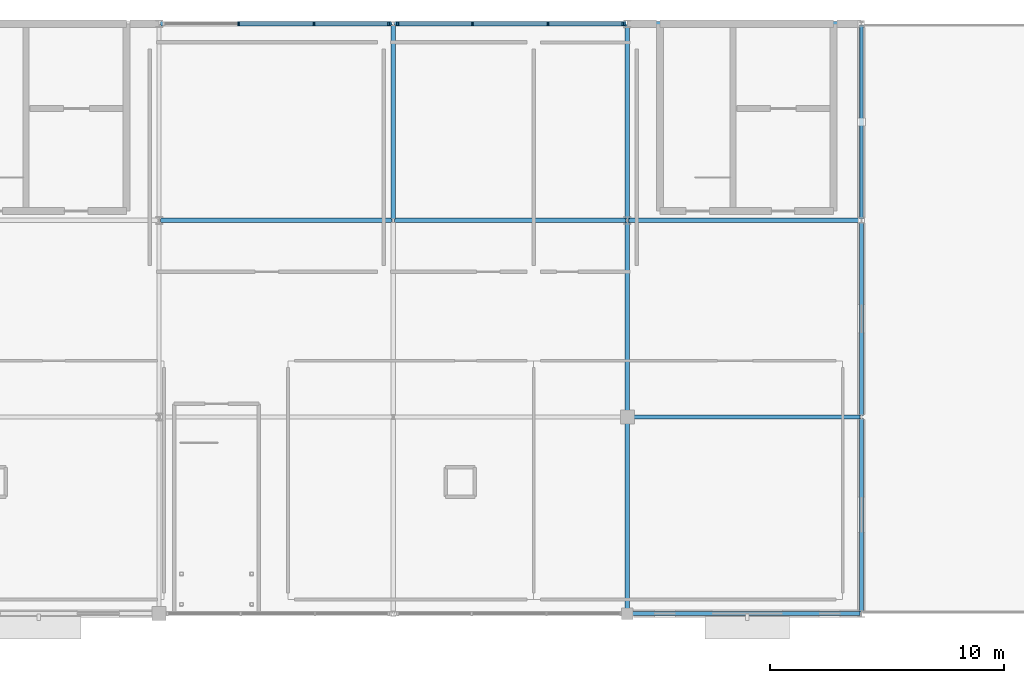
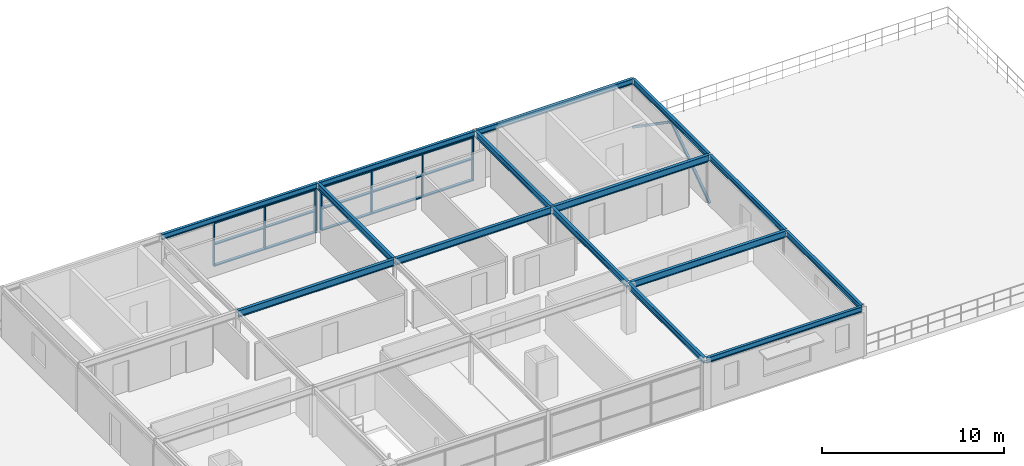
# One storey, part 8 of 12: 24 members, 15 beams, 2 elements without a shape of their own.
"""IFC4 building model written with IfcOpenShell, lengths in metres."""

from ifc_helpers import new_model, si_unit, derived_unit, direction, frame, origin, origin_2d_with_axis, place, context, subcontext, project, spatial, rectangle, hollow_rectangle, i_section, extrude, material, material_profile, profile_set, type_object, element, aggregate, save


model = new_model("IFC4")

# Units and contexts
model_context = context("Model", 3, precision=1e-05, world=origin(), true_north=direction((0.0, 1.0)))
body_context = subcontext(model_context, "Body", "Model", "MODEL_VIEW")
ifc_project = project(units=[si_unit("LENGTHUNIT", "METRE"), si_unit("AREAUNIT", "SQUARE_METRE"), si_unit("VOLUMEUNIT", "CUBIC_METRE"), si_unit("PLANEANGLEUNIT", "RADIAN"), si_unit("MASSUNIT", "GRAM", prefix="KILO"), derived_unit("THERMALTRANSMITTANCEUNIT", [(si_unit("POWERUNIT", "WATT"), 1), (si_unit("LENGTHUNIT", "METRE"), -2), (si_unit("THERMODYNAMICTEMPERATUREUNIT", "KELVIN"), -1)])], contexts=[model_context])

# Site, building, storey
site_placement = place(None, origin())
site = spatial("IfcSite", under=ifc_project, at=site_placement, CompositionType="ELEMENT")
building_placement = place(site_placement, origin())
building = spatial("IfcBuilding", under=site, at=building_placement, Name="Cinnabar Yard Market Hall", CompositionType="ELEMENT")
storey_placement = place(building_placement, frame((0.0, 0.0, 15.300048828125)))
storey = spatial("IfcBuildingStorey", under=building, at=storey_placement, Name="L04", CompositionType="ELEMENT", Elevation=15.300048828125)

# Beams
ifc_material_1 = material(Name="Steel Grade 300 (300 MPa)", Category="steel")
ifc_material_profile_1 = material_profile(ifc_material_1, i_section(OverallWidth=0.18994140625, OverallDepth=0.453857421875, WebThickness=0.008544921875, FlangeThickness=0.0126953125, FilletRadius=0.011474609375, at=origin_2d_with_axis()), Name="460UB67.1")
ifc_profile_set_1 = profile_set([ifc_material_profile_1], Name="Steel Grade 300 (300 MPa)")
beam_type_1 = type_object("IfcBeamType", Name="BM-B05", PredefinedType="BEAM", material=ifc_profile_set_1)
for number, where, z_axis, x_axis, name in (
    (1, (106.06005859375, 129.60009765625, 3.072998046875), (1.0, 0.0, 0.0), (0.0, 1.0, 0.0), "V3 L04 Girder X 01458"),
    (2, (116.06005859375, 129.60009765625, 3.072998046875), (1.0, 0.0, 0.0), (0.0, 1.0, 0.0), "V3 L04 Girder X 01462"),
    (3, (126.06005859375, 121.199951171875, 3.072998046875), (1.0, 0.0, 0.0), (0.0, 1.0, 0.0), "V3 L04 Girder X 01465"),
    (4, (126.06005859375, 129.60009765625, 3.072998046875), (1.0, 0.0, 0.0), (0.0, 1.0, 0.0), "V3 L04 Girder X 01466"),
):
    element("IfcBeam", number, at=place(storey_placement, frame(where, z_axis=z_axis, x_axis=x_axis)), inside=storey, type_object=beam_type_1, Name=name, PredefinedType="BEAM", context=body_context, shape_type="SweptSolid", body=[
        extrude(i_section(OverallWidth=0.18994140625, OverallDepth=0.453857421875, WebThickness=0.008544921875, FlangeThickness=0.0126953125, FilletRadius=0.011474609375, at=origin_2d_with_axis()), origin(), (0.0, 0.0, 1.0), 9.8798828125),
    ])
ifc_material_profile_2 = material_profile(ifc_material_1, i_section(OverallWidth=0.177978515625, OverallDepth=0.406494140625, WebThickness=0.0078125, FlangeThickness=0.0126953125, FilletRadius=0.011474609375, at=origin_2d_with_axis()), Name="410UB59.7")
ifc_profile_set_2 = profile_set([ifc_material_profile_2], Name="Steel Grade 300 (300 MPa)")
beam_type_2 = type_object("IfcBeamType", Name="BM-B06", PredefinedType="BEAM", material=ifc_profile_set_2)
beam_1_placement = place(storey_placement, frame((116.0, 129.659912109375, 3.0966796875), z_axis=(0.0, 1.0, 0.0), x_axis=(-1.0, 0.0, 0.0)))
element("IfcBeam", 5, at=beam_1_placement, inside=storey, type_object=beam_type_2, Name="V3 L04 Girder Y 01476", PredefinedType="BEAM", context=body_context, shape_type="SweptSolid", body=[
    extrude(i_section(OverallWidth=0.177978515625, OverallDepth=0.406494140625, WebThickness=0.0078125, FlangeThickness=0.0126953125, FilletRadius=0.011474609375, at=origin_2d_with_axis()), origin(), (0.0, 0.0, 1.0), 8.280029296875),
])
beam_2_placement = place(storey_placement, frame((126.0, 112.860107421875, 3.0966796875), z_axis=(0.0, 1.0, 0.0), x_axis=(-1.0, 0.0, 0.0)))
element("IfcBeam", 6, at=beam_2_placement, inside=storey, type_object=beam_type_2, Name="V3 L04 Girder Y 01477", PredefinedType="BEAM", context=body_context, shape_type="SweptSolid", body=[
    extrude(i_section(OverallWidth=0.177978515625, OverallDepth=0.406494140625, WebThickness=0.0078125, FlangeThickness=0.0126953125, FilletRadius=0.011474609375, at=origin_2d_with_axis()), origin(), (0.0, 0.0, 1.0), 8.27978515625),
])
for number, where, z_axis, x_axis, name in (
    (7, (126.0, 121.260009765625, 3.0966796875), (0.0, 1.0, 0.0), (-1.0, 0.0, 0.0), "V3 L04 Girder Y 01478"),
    (8, (126.0, 129.659912109375, 3.0966796875), (0.0, 1.0, 0.0), (-1.0, 0.0, 0.0), "V3 L04 Girder Y 01479"),
):
    element("IfcBeam", number, at=place(storey_placement, frame(where, z_axis=z_axis, x_axis=x_axis)), inside=storey, type_object=beam_type_2, Name=name, PredefinedType="BEAM", context=body_context, shape_type="SweptSolid", body=[
        extrude(i_section(OverallWidth=0.177978515625, OverallDepth=0.406494140625, WebThickness=0.0078125, FlangeThickness=0.0126953125, FilletRadius=0.011474609375, at=origin_2d_with_axis()), origin(), (0.0, 0.0, 1.0), 8.280029296875),
    ])
ifc_material_profile_3 = material_profile(ifc_material_1, i_section(OverallWidth=0.172119140625, OverallDepth=0.358642578125, WebThickness=0.008056640625, FlangeThickness=0.012939453125, FilletRadius=0.011474609375, at=origin_2d_with_axis()), Name="360UB56.7")
ifc_profile_set_3 = profile_set([ifc_material_profile_3], Name="Steel Grade 300 (300 MPa)")
beam_type_3 = type_object("IfcBeamType", Name="BM-SP02E", PredefinedType="SPANDREL", material=ifc_profile_set_3)
for number, where, z_axis, x_axis, name in (
    (9, (106.06005859375, 138.0, 3.12060546875), (1.0, 0.0, 0.0), (0.0, 1.0, 0.0), "V3 L04 Girder X 01459"),
    (10, (116.06005859375, 138.0, 3.12060546875), (1.0, 0.0, 0.0), (0.0, 1.0, 0.0), "V3 L04 Girder X 01463"),
    (11, (126.06005859375, 112.800048828125, 3.12060546875), (1.0, 0.0, 0.0), (0.0, 1.0, 0.0), "V3 L04 Girder X 01464"),
    (12, (126.06005859375, 138.0, 3.12060546875), (1.0, 0.0, 0.0), (0.0, 1.0, 0.0), "V3 L04 Girder X 01467"),
):
    element("IfcBeam", number, at=place(storey_placement, frame(where, z_axis=z_axis, x_axis=x_axis)), inside=storey, type_object=beam_type_3, Name=name, PredefinedType="SPANDREL", context=body_context, shape_type="SweptSolid", body=[
        extrude(i_section(OverallWidth=0.172119140625, OverallDepth=0.358642578125, WebThickness=0.008056640625, FlangeThickness=0.012939453125, FilletRadius=0.011474609375, at=origin_2d_with_axis()), origin(), (0.0, 0.0, 1.0), 9.8798828125),
    ])
beam_3_placement = place(storey_placement, frame((136.0, 112.860107421875, 3.12060546875), z_axis=(0.0, 1.0, 0.0), x_axis=(-1.0, 0.0, 0.0)))
element("IfcBeam", 13, at=beam_3_placement, inside=storey, type_object=beam_type_3, Name="V3 L04 Girder Y 01480", PredefinedType="SPANDREL", context=body_context, shape_type="SweptSolid", body=[
    extrude(i_section(OverallWidth=0.172119140625, OverallDepth=0.358642578125, WebThickness=0.008056640625, FlangeThickness=0.012939453125, FilletRadius=0.011474609375, at=origin_2d_with_axis()), origin(), (0.0, 0.0, 1.0), 8.27978515625),
])
for number, where, z_axis, x_axis, name in (
    (14, (136.0, 121.260009765625, 3.12060546875), (0.0, 1.0, 0.0), (-1.0, 0.0, 0.0), "V3 L04 Girder Y 01481"),
    (15, (136.0, 129.659912109375, 3.12060546875), (0.0, 1.0, 0.0), (-1.0, 0.0, 0.0), "V3 L04 Girder Y 01482"),
):
    element("IfcBeam", number, at=place(storey_placement, frame(where, z_axis=z_axis, x_axis=x_axis)), inside=storey, type_object=beam_type_3, Name=name, PredefinedType="SPANDREL", context=body_context, shape_type="SweptSolid", body=[
        extrude(i_section(OverallWidth=0.172119140625, OverallDepth=0.358642578125, WebThickness=0.008056640625, FlangeThickness=0.012939453125, FilletRadius=0.011474609375, at=origin_2d_with_axis()), origin(), (0.0, 0.0, 1.0), 8.280029296875),
    ])

# Curtain wall, members
ifc_material_2 = material(Name="Anodised bronze aluminium courtyard facade", Category="aluminium")
curtain_wall_type = type_object("IfcCurtainWallType", Name="CW-CWF097x29", PredefinedType="NOTDEFINED", material=ifc_material_2)
curtain_wall_1_placement = place(storey_placement, origin())
curtain_wall_1 = element("IfcCurtainWall", 16, at=curtain_wall_1_placement, inside=storey, type_object=curtain_wall_type, Name="Wing North Pishtaq Glazing L04 Bay 2", PredefinedType="NOTDEFINED")
ifc_material_3 = material(Name="Anodised bronze aluminium", Category="aluminium")
ifc_material_profile_4 = material_profile(ifc_material_3, rectangle(XDim=0.179931640625, YDim=0.074951171875, at=origin_2d_with_axis()), Name="MUL-CWF")
ifc_profile_set_4 = profile_set([ifc_material_profile_4], Name="Anodised bronze aluminium")
member_type_1 = type_object("IfcMemberType", Name="CWM-CWF", PredefinedType="MULLION", material=ifc_profile_set_4)
member_1_placement = place(storey_placement, frame((115.802490234375, 138.0, 0.0), z_axis=(0.0, 0.0, 1.0), x_axis=(0.0, -1.0, 0.0)))
member_1 = element("IfcMember", 17, at=member_1_placement, type_object=member_type_1, Name="CWF097x29 mullion 1", PredefinedType="MULLION", context=body_context, shape_type="SweptSolid", body=[
    extrude(rectangle(XDim=0.179931640625, YDim=0.074951171875, at=origin_2d_with_axis()), origin(), (0.0, 0.0, 1.0), 2.93994140625),
])
member_2_placement = place(storey_placement, frame((112.61328125, 138.0, 0.0), z_axis=(0.0, 0.0, 1.0), x_axis=(0.0, -1.0, 0.0)))
member_2 = element("IfcMember", 18, at=member_2_placement, type_object=member_type_1, Name="CWF097x29 mullion 2", PredefinedType="MULLION", context=body_context, shape_type="SweptSolid", body=[
    extrude(rectangle(XDim=0.179931640625, YDim=0.074951171875, at=origin_2d_with_axis()), origin(), (0.0, 0.0, 1.0), 2.93994140625),
])
member_3_placement = place(storey_placement, frame((109.38671875, 138.0, 0.0), z_axis=(0.0, 0.0, 1.0), x_axis=(0.0, -1.0, 0.0)))
member_3 = element("IfcMember", 19, at=member_3_placement, type_object=member_type_1, Name="CWF097x29 mullion 3", PredefinedType="MULLION", context=body_context, shape_type="SweptSolid", body=[
    extrude(rectangle(XDim=0.179931640625, YDim=0.074951171875, at=origin_2d_with_axis()), origin(), (0.0, 0.0, 1.0), 2.93994140625),
])

curtain_wall_2_placement = place(storey_placement, origin())
curtain_wall_2 = element("IfcCurtainWall", 20, at=curtain_wall_2_placement, inside=storey, type_object=curtain_wall_type, Name="Wing North Pishtaq Glazing L04 Bay 3", PredefinedType="NOTDEFINED")
member_4_placement = place(storey_placement, frame((125.802490234375, 138.0, 0.0), z_axis=(0.0, 0.0, 1.0), x_axis=(0.0, -1.0, 0.0)))
member_4 = element("IfcMember", 21, at=member_4_placement, type_object=member_type_1, Name="CWF097x29 mullion 1", PredefinedType="MULLION", context=body_context, shape_type="SweptSolid", body=[
    extrude(rectangle(XDim=0.179931640625, YDim=0.074951171875, at=origin_2d_with_axis()), origin(), (0.0, 0.0, 1.0), 2.93994140625),
])
member_5_placement = place(storey_placement, frame((122.61328125, 138.0, 0.0), z_axis=(0.0, 0.0, 1.0), x_axis=(0.0, -1.0, 0.0)))
member_5 = element("IfcMember", 22, at=member_5_placement, type_object=member_type_1, Name="CWF097x29 mullion 2", PredefinedType="MULLION", context=body_context, shape_type="SweptSolid", body=[
    extrude(rectangle(XDim=0.179931640625, YDim=0.074951171875, at=origin_2d_with_axis()), origin(), (0.0, 0.0, 1.0), 2.93994140625),
])
member_6_placement = place(storey_placement, frame((119.38671875, 138.0, 0.0), z_axis=(0.0, 0.0, 1.0), x_axis=(0.0, -1.0, 0.0)))
member_6 = element("IfcMember", 23, at=member_6_placement, type_object=member_type_1, Name="CWF097x29 mullion 3", PredefinedType="MULLION", context=body_context, shape_type="SweptSolid", body=[
    extrude(rectangle(XDim=0.179931640625, YDim=0.074951171875, at=origin_2d_with_axis()), origin(), (0.0, 0.0, 1.0), 2.93994140625),
])
member_7_placement = place(storey_placement, frame((116.197509765625, 138.0, 0.0), z_axis=(0.0, 0.0, 1.0), x_axis=(0.0, -1.0, 0.0)))
member_7 = element("IfcMember", 24, at=member_7_placement, type_object=member_type_1, Name="CWF097x29 mullion 4", PredefinedType="MULLION", context=body_context, shape_type="SweptSolid", body=[
    extrude(rectangle(XDim=0.179931640625, YDim=0.074951171875, at=origin_2d_with_axis()), origin(), (0.0, 0.0, 1.0), 2.93994140625),
])

# Member
ifc_material_profile_5 = material_profile(ifc_material_3, rectangle(XDim=0.179931640625, YDim=0.074951171875, at=origin_2d_with_axis()), Name="TRN-CWF")
ifc_profile_set_5 = profile_set([ifc_material_profile_5], Name="Anodised bronze aluminium")
member_type_2 = type_object("IfcMemberType", Name="CWT-CWF", PredefinedType="USERDEFINED", material=ifc_profile_set_5)
member_8_placement = place(storey_placement, frame((115.764892578125, 138.0, 0.037353515625), z_axis=(-1.0, 0.0, 0.0), x_axis=(0.0, -1.0, 0.0)))
member_8 = element("IfcMember", 25, at=member_8_placement, type_object=member_type_2, Name="CWF097x29 transom 1.1", ObjectType="TRANSOM", PredefinedType="USERDEFINED", context=body_context, shape_type="SweptSolid", body=[
    extrude(rectangle(XDim=0.179931640625, YDim=0.074951171875, at=origin_2d_with_axis()), origin(), (0.0, 0.0, 1.0), 3.114013671875),
])

member_9_placement = place(storey_placement, frame((115.764892578125, 138.0, 1.469970703125), z_axis=(-1.0, 0.0, 0.0), x_axis=(0.0, -1.0, 0.0)))
member_9 = element("IfcMember", 26, at=member_9_placement, type_object=member_type_2, Name="CWF097x29 transom 1.2", ObjectType="TRANSOM", PredefinedType="USERDEFINED", context=body_context, shape_type="SweptSolid", body=[
    extrude(rectangle(XDim=0.179931640625, YDim=0.074951171875, at=origin_2d_with_axis()), origin(), (0.0, 0.0, 1.0), 3.114013671875),
])

member_10_placement = place(storey_placement, frame((115.764892578125, 138.0, 2.90234375), z_axis=(-1.0, 0.0, 0.0), x_axis=(0.0, -1.0, 0.0)))
member_10 = element("IfcMember", 27, at=member_10_placement, type_object=member_type_2, Name="CWF097x29 transom 1.3", ObjectType="TRANSOM", PredefinedType="USERDEFINED", context=body_context, shape_type="SweptSolid", body=[
    extrude(rectangle(XDim=0.179931640625, YDim=0.074951171875, at=origin_2d_with_axis()), origin(), (0.0, 0.0, 1.0), 3.114013671875),
])

member_11_placement = place(storey_placement, frame((112.575927734375, 138.0, 0.037353515625), z_axis=(-1.0, 0.0, 0.0), x_axis=(0.0, -1.0, 0.0)))
member_11 = element("IfcMember", 28, at=member_11_placement, type_object=member_type_2, Name="CWF097x29 transom 2.1", ObjectType="TRANSOM", PredefinedType="USERDEFINED", context=body_context, shape_type="SweptSolid", body=[
    extrude(rectangle(XDim=0.179931640625, YDim=0.074951171875, at=origin_2d_with_axis()), origin(), (0.0, 0.0, 1.0), 3.15185546875),
])

member_12_placement = place(storey_placement, frame((112.575927734375, 138.0, 1.469970703125), z_axis=(-1.0, 0.0, 0.0), x_axis=(0.0, -1.0, 0.0)))
member_12 = element("IfcMember", 29, at=member_12_placement, type_object=member_type_2, Name="CWF097x29 transom 2.2", ObjectType="TRANSOM", PredefinedType="USERDEFINED", context=body_context, shape_type="SweptSolid", body=[
    extrude(rectangle(XDim=0.179931640625, YDim=0.074951171875, at=origin_2d_with_axis()), origin(), (0.0, 0.0, 1.0), 3.15185546875),
])

member_13_placement = place(storey_placement, frame((112.575927734375, 138.0, 2.90234375), z_axis=(-1.0, 0.0, 0.0), x_axis=(0.0, -1.0, 0.0)))
member_13 = element("IfcMember", 30, at=member_13_placement, type_object=member_type_2, Name="CWF097x29 transom 2.3", ObjectType="TRANSOM", PredefinedType="USERDEFINED", context=body_context, shape_type="SweptSolid", body=[
    extrude(rectangle(XDim=0.179931640625, YDim=0.074951171875, at=origin_2d_with_axis()), origin(), (0.0, 0.0, 1.0), 3.15185546875),
])

aggregate(curtain_wall_1, [member_1, member_2, member_3, member_8, member_9, member_10, member_11, member_12, member_13])

member_14_placement = place(storey_placement, frame((125.764892578125, 138.0, 0.037353515625), z_axis=(-1.0, 0.0, 0.0), x_axis=(0.0, -1.0, 0.0)))
member_14 = element("IfcMember", 31, at=member_14_placement, type_object=member_type_2, Name="CWF097x29 transom 1.1", ObjectType="TRANSOM", PredefinedType="USERDEFINED", context=body_context, shape_type="SweptSolid", body=[
    extrude(rectangle(XDim=0.179931640625, YDim=0.074951171875, at=origin_2d_with_axis()), origin(), (0.0, 0.0, 1.0), 3.114013671875),
])

member_15_placement = place(storey_placement, frame((125.764892578125, 138.0, 1.469970703125), z_axis=(-1.0, 0.0, 0.0), x_axis=(0.0, -1.0, 0.0)))
member_15 = element("IfcMember", 32, at=member_15_placement, type_object=member_type_2, Name="CWF097x29 transom 1.2", ObjectType="TRANSOM", PredefinedType="USERDEFINED", context=body_context, shape_type="SweptSolid", body=[
    extrude(rectangle(XDim=0.179931640625, YDim=0.074951171875, at=origin_2d_with_axis()), origin(), (0.0, 0.0, 1.0), 3.114013671875),
])

member_16_placement = place(storey_placement, frame((125.764892578125, 138.0, 2.90234375), z_axis=(-1.0, 0.0, 0.0), x_axis=(0.0, -1.0, 0.0)))
member_16 = element("IfcMember", 33, at=member_16_placement, type_object=member_type_2, Name="CWF097x29 transom 1.3", ObjectType="TRANSOM", PredefinedType="USERDEFINED", context=body_context, shape_type="SweptSolid", body=[
    extrude(rectangle(XDim=0.179931640625, YDim=0.074951171875, at=origin_2d_with_axis()), origin(), (0.0, 0.0, 1.0), 3.114013671875),
])

member_17_placement = place(storey_placement, frame((122.575927734375, 138.0, 0.037353515625), z_axis=(-1.0, 0.0, 0.0), x_axis=(0.0, -1.0, 0.0)))
member_17 = element("IfcMember", 34, at=member_17_placement, type_object=member_type_2, Name="CWF097x29 transom 2.1", ObjectType="TRANSOM", PredefinedType="USERDEFINED", context=body_context, shape_type="SweptSolid", body=[
    extrude(rectangle(XDim=0.179931640625, YDim=0.074951171875, at=origin_2d_with_axis()), origin(), (0.0, 0.0, 1.0), 3.15185546875),
])

member_18_placement = place(storey_placement, frame((122.575927734375, 138.0, 1.469970703125), z_axis=(-1.0, 0.0, 0.0), x_axis=(0.0, -1.0, 0.0)))
member_18 = element("IfcMember", 35, at=member_18_placement, type_object=member_type_2, Name="CWF097x29 transom 2.2", ObjectType="TRANSOM", PredefinedType="USERDEFINED", context=body_context, shape_type="SweptSolid", body=[
    extrude(rectangle(XDim=0.179931640625, YDim=0.074951171875, at=origin_2d_with_axis()), origin(), (0.0, 0.0, 1.0), 3.15185546875),
])

member_19_placement = place(storey_placement, frame((122.575927734375, 138.0, 2.90234375), z_axis=(-1.0, 0.0, 0.0), x_axis=(0.0, -1.0, 0.0)))
member_19 = element("IfcMember", 36, at=member_19_placement, type_object=member_type_2, Name="CWF097x29 transom 2.3", ObjectType="TRANSOM", PredefinedType="USERDEFINED", context=body_context, shape_type="SweptSolid", body=[
    extrude(rectangle(XDim=0.179931640625, YDim=0.074951171875, at=origin_2d_with_axis()), origin(), (0.0, 0.0, 1.0), 3.15185546875),
])

member_20_placement = place(storey_placement, frame((119.34912109375, 138.0, 0.037353515625), z_axis=(-1.0, 0.0, 0.0), x_axis=(0.0, -1.0, 0.0)))
member_20 = element("IfcMember", 37, at=member_20_placement, type_object=member_type_2, Name="CWF097x29 transom 3.1", ObjectType="TRANSOM", PredefinedType="USERDEFINED", context=body_context, shape_type="SweptSolid", body=[
    extrude(rectangle(XDim=0.179931640625, YDim=0.074951171875, at=origin_2d_with_axis()), origin(), (0.0, 0.0, 1.0), 3.114013671875),
])

member_21_placement = place(storey_placement, frame((119.34912109375, 138.0, 1.469970703125), z_axis=(-1.0, 0.0, 0.0), x_axis=(0.0, -1.0, 0.0)))
member_21 = element("IfcMember", 38, at=member_21_placement, type_object=member_type_2, Name="CWF097x29 transom 3.2", ObjectType="TRANSOM", PredefinedType="USERDEFINED", context=body_context, shape_type="SweptSolid", body=[
    extrude(rectangle(XDim=0.179931640625, YDim=0.074951171875, at=origin_2d_with_axis()), origin(), (0.0, 0.0, 1.0), 3.114013671875),
])

member_22_placement = place(storey_placement, frame((119.34912109375, 138.0, 2.90234375), z_axis=(-1.0, 0.0, 0.0), x_axis=(0.0, -1.0, 0.0)))
member_22 = element("IfcMember", 39, at=member_22_placement, type_object=member_type_2, Name="CWF097x29 transom 3.3", ObjectType="TRANSOM", PredefinedType="USERDEFINED", context=body_context, shape_type="SweptSolid", body=[
    extrude(rectangle(XDim=0.179931640625, YDim=0.074951171875, at=origin_2d_with_axis()), origin(), (0.0, 0.0, 1.0), 3.114013671875),
])

aggregate(curtain_wall_2, [member_4, member_5, member_6, member_7, member_14, member_15, member_16, member_17, member_18, member_19, member_20, member_21, member_22])

# Members
ifc_material_4 = material(Name="Cold-formed steel C350L0", Category="steel")
ifc_material_profile_6 = material_profile(ifc_material_4, hollow_rectangle(XDim=0.14990234375, YDim=0.14990234375, WallThickness=0.006103515625, InnerFilletRadius=0.006103515625, OuterFilletRadius=0.011962890625, at=origin_2d_with_axis()), Name="150x150x6.0SHS")
ifc_profile_set_6 = profile_set([ifc_material_profile_6], Name="Cold-formed steel C350L0")
member_type_3 = type_object("IfcMemberType", Name="MB-BR02E", PredefinedType="BRACE", material=ifc_profile_set_6)
for number, where, z_axis, x_axis, name in (
    (40, (136.0, 129.60009765625, 0.0), (0.0, 0.822902758261, 0.568182233484), (-1.0, 0.0, 0.0), "Chevron Brace CBF-V3-E4 A"),
    (41, (136.0, 138.0, 0.0), (0.0, -0.822902758261, 0.568182233484), (1.0, 0.0, 0.0), "Chevron Brace CBF-V3-E4 B"),
):
    element("IfcMember", number, at=place(storey_placement, frame(where, z_axis=z_axis, x_axis=x_axis)), inside=storey, type_object=member_type_3, Name=name, PredefinedType="BRACE", context=body_context, shape_type="SweptSolid", body=[
        extrude(hollow_rectangle(XDim=0.14990234375, YDim=0.14990234375, WallThickness=0.006103515625, InnerFilletRadius=0.006103515625, OuterFilletRadius=0.011962890625, at=origin_2d_with_axis()), origin(), (0.0, 0.0, 1.0), 5.103759765625),
    ])

save(model, "model.ifc")
